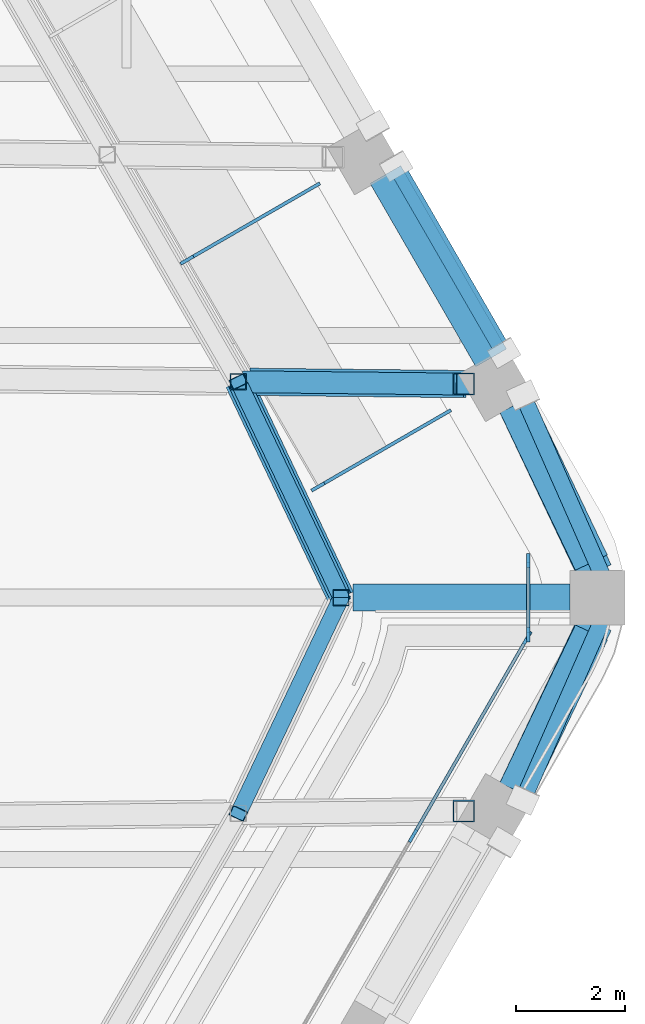
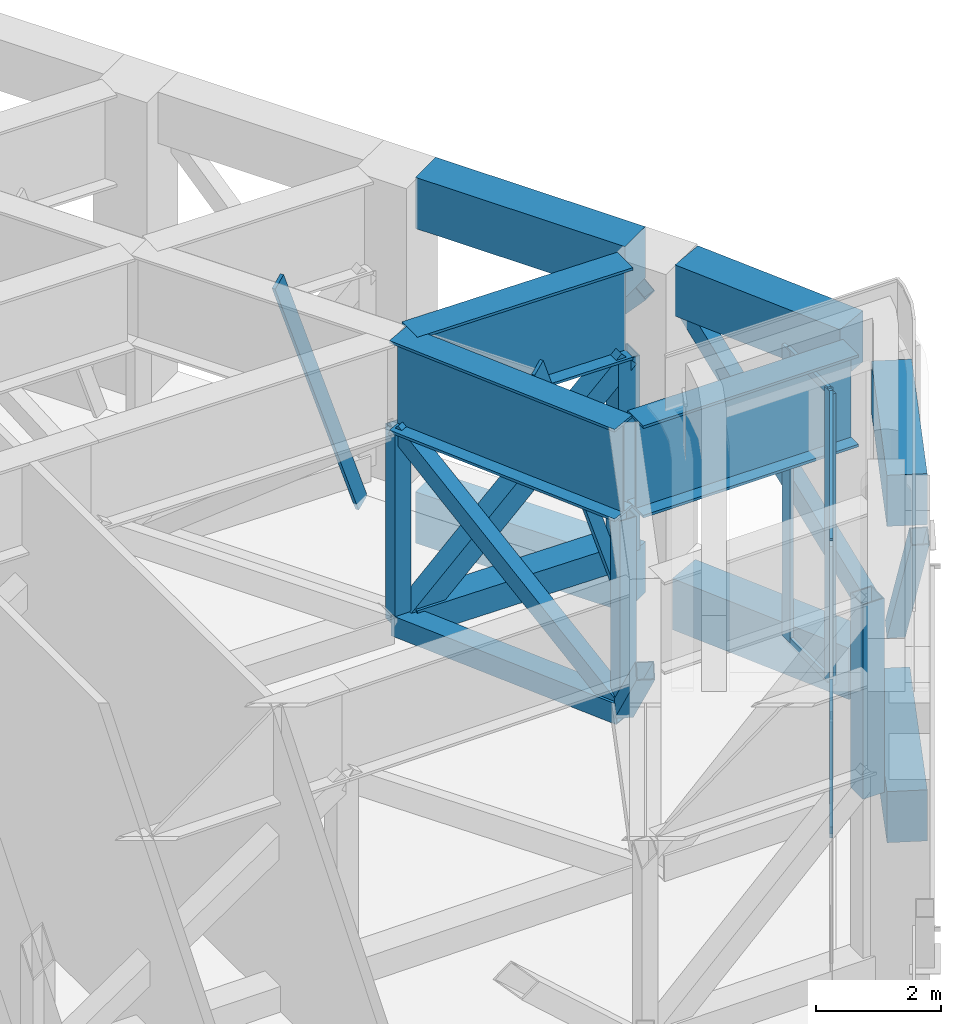
# One storey, part 7 of 24: 22 members, 9 beams, 3 elements without a shape of their own.
"""IFC4 building model written with IfcOpenShell, lengths in metres."""

from ifc_helpers import new_model, si_unit, direction, frame, origin, origin_2d, place, context, subcontext, project, spatial, rectangle, hollow_rectangle, i_section, extrude, material, material_profile, profile_set, type_object, element, aggregate, save


model = new_model("IFC4")

# Units and contexts
model_context = context("Model", 3, precision=1e-05, world=origin(), true_north=direction((0.0, 1.0)))
body_context = subcontext(model_context, "Body", "Model", "MODEL_VIEW")
ifc_project = project(units=[si_unit("LENGTHUNIT", "METRE"), si_unit("AREAUNIT", "SQUARE_METRE"), si_unit("VOLUMEUNIT", "CUBIC_METRE"), si_unit("PLANEANGLEUNIT", "RADIAN"), si_unit("MASSUNIT", "GRAM", prefix="KILO")], contexts=[model_context])

# Site, building, storey
site_placement = place(None, origin())
site = spatial("IfcSite", under=ifc_project, at=site_placement, CompositionType="ELEMENT")
building_placement = place(site_placement, origin())
building = spatial("IfcBuilding", under=site, at=building_placement, Name="Kolab Exchange Tower", CompositionType="ELEMENT")
storey_placement = place(building_placement, frame((0.0, 0.0, 216.800048828125)))
storey = spatial("IfcBuildingStorey", under=building, at=storey_placement, Name="L47", CompositionType="ELEMENT", Elevation=216.800048828125)

# Members
ifc_material_1 = material(Name="Steel S355", Category="steel")
ifc_material_profile_1 = material_profile(ifc_material_1, hollow_rectangle(XDim=0.300048828125, YDim=0.300048828125, WallThickness=0.01611328125, at=origin_2d()), Name="HSS300X300X16")
ifc_profile_set_1 = profile_set([ifc_material_profile_1], Name="Steel S355")
member_type_1 = type_object("IfcMemberType", Name="BELT TRUSS BRACE HSS300X300X16", PredefinedType="BRACE", material=ifc_profile_set_1)
for number, where, z_axis, x_axis, name in (
    (1, (21.253662109375, 3.956787109375, 4.050048828125), (0.324540203016, -0.682207920918, -0.655183950706), (0.903025238378, 0.429587498482, 0.0), "mem/L47/ring/d-F2-05"),
    (2, (23.135986328125, 0.0, 0.25), (-0.324540203016, -0.682207920918, 0.655183950706), (0.903025238378, -0.429587498482, 0.0), "mem/L47/ring/d-F3-01"),
):
    element("IfcMember", number, at=place(storey_placement, frame(where, z_axis=z_axis, x_axis=x_axis)), inside=storey, type_object=member_type_1, Name=name, PredefinedType="BRACE", context=body_context, shape_type="SweptSolid", body=[
        extrude(hollow_rectangle(XDim=0.300048828125, YDim=0.300048828125, WallThickness=0.01611328125, at=origin_2d()), origin(), (0.0, 0.0, 1.0), 5.800048828125),
    ])
member_1_placement = place(storey_placement, frame((24.150390625, 7.900634765625, 0.39990234375), z_axis=(0.337470471595, -0.584582973076, 0.737818696152), x_axis=(0.866050206543, 0.499957037901, 0.0)))
element("IfcMember", 3, at=member_1_placement, inside=storey, type_object=member_type_1, Name="mem/L47/fb/F2-05", PredefinedType="BRACE", context=body_context, shape_type="SweptSolid", body=[
    extrude(hollow_rectangle(XDim=0.300048828125, YDim=0.300048828125, WallThickness=0.01611328125, at=origin_2d()), origin(), (0.0, 0.0, 1.0), 5.828125),
])
for number, where, z_axis, x_axis, name in (
    (4, (26.47412109375, 3.69921875, 4.699951171875), (0.257411493708, -0.584668732952, -0.769351542285), (0.915224267781, 0.402944834519, 0.0), "mem/L47/fb/F2-06"),
    (5, (27.912841796875, -0.431396484375, 0.39990234375), (-0.257411493708, -0.584668732952, 0.769351542285), (0.915224267781, -0.402944834519, 0.0), "mem/L47/fb/F3-01"),
):
    element("IfcMember", number, at=place(storey_placement, frame(where, z_axis=z_axis, x_axis=x_axis)), inside=storey, type_object=member_type_1, Name=name, PredefinedType="BRACE", context=body_context, shape_type="SweptSolid", body=[
        extrude(hollow_rectangle(XDim=0.300048828125, YDim=0.300048828125, WallThickness=0.01611328125, at=origin_2d()), origin(), (0.0, 0.0, 1.0), 5.589111328125),
    ])
ifc_material_profile_2 = material_profile(ifc_material_1, hollow_rectangle(XDim=0.39990234375, YDim=0.39990234375, WallThickness=0.02001953125, at=origin_2d()), Name="HSS400X400X20")
ifc_profile_set_2 = profile_set([ifc_material_profile_2], Name="Steel S355")
member_type_2 = type_object("IfcMemberType", Name="BELT TRUSS CHORD HSS400X400X20", PredefinedType="CHORD", material=ifc_profile_set_2)
member_2_placement = place(storey_placement, frame((21.253662109375, 3.956787109375, 0.25), z_axis=(0.429587498482, -0.903025238378, 0.0), x_axis=(0.903025238378, 0.429587498482, 0.0)))
element("IfcMember", 6, at=member_2_placement, inside=storey, type_object=member_type_2, Name="mem/L47/ring/c-F2-05", PredefinedType="CHORD", context=body_context, shape_type="SweptSolid", body=[
    extrude(hollow_rectangle(XDim=0.39990234375, YDim=0.39990234375, WallThickness=0.02001953125, at=origin_2d()), origin(), (0.0, 0.0, 1.0), 4.381591796875),
])

# Beam
ifc_material_profile_3 = material_profile(ifc_material_1, i_section(OverallWidth=0.5, OverallDepth=1.800048828125, WebThickness=0.031982421875, FlangeThickness=0.050048828125, at=origin_2d()), Name="PG1800X500")
ifc_profile_set_3 = profile_set([ifc_material_profile_3], Name="Steel S355")
beam_type_1 = type_object("IfcBeamType", Name="BELT TRUSS GIRDER PG1800X500", PredefinedType="BEAM", material=ifc_profile_set_3)
beam_1_placement = place(storey_placement, frame((21.253662109375, 3.956787109375, 4.949951171875), z_axis=(0.429587498482, -0.903025238378, 0.0), x_axis=(0.903025238378, 0.429587498482, 0.0)))
element("IfcBeam", 7, at=beam_1_placement, inside=storey, type_object=beam_type_1, Name="beam/L47/bg/F2-out", PredefinedType="BEAM", context=body_context, shape_type="SweptSolid", body=[
    extrude(i_section(OverallWidth=0.5, OverallDepth=1.800048828125, WebThickness=0.031982421875, FlangeThickness=0.050048828125, at=origin_2d()), origin(), (0.0, 0.0, 1.0), 4.381591796875),
])

# Members
ifc_material_profile_4 = material_profile(ifc_material_1, hollow_rectangle(XDim=0.300048828125, YDim=0.300048828125, WallThickness=0.01611328125, at=origin_2d()), Name="HSS300X300X16")
ifc_profile_set_4 = profile_set([ifc_material_profile_4], Name="Steel S355")
member_type_3 = type_object("IfcMemberType", Name="BELT TRUSS POST HSS300X300X16", PredefinedType="POST", material=ifc_profile_set_4)
for number, where, z_axis, x_axis, name in (
    (8, (21.253662109375, 3.956787109375, 0.25), (0.0, 0.0, 1.0), (1.0, 0.0, 0.0), "mem/L47/ring/p-F2-05"),
    (9, (23.135986328125, 0.0, 0.25), (0.0, 0.0, 1.0), (1.0, 0.0, 0.0), "mem/L47/ring/p-F3-01"),
):
    element("IfcMember", number, at=place(storey_placement, frame(where, z_axis=z_axis, x_axis=x_axis)), inside=storey, type_object=member_type_3, Name=name, PredefinedType="POST", context=body_context, shape_type="SweptSolid", body=[
        extrude(hollow_rectangle(XDim=0.300048828125, YDim=0.300048828125, WallThickness=0.01611328125, at=origin_2d()), origin(), (0.0, 0.0, 1.0), 3.800048828125),
    ])

# Curtain wall, members
ifc_material_2 = material(Name="Aluminium EN AW-6063 T6", Category="aluminium")
curtain_wall_type_1 = type_object("IfcCurtainWallType", Name="CANTED BAND CURTAIN WALL", PredefinedType="NOTDEFINED", material=ifc_material_2)
curtain_wall_1_placement = place(storey_placement, origin())
curtain_wall_1 = element("IfcCurtainWall", 10, at=curtain_wall_1_placement, inside=storey, type_object=curtain_wall_type_1, Name="band/L47/F2", PredefinedType="NOTDEFINED")
ifc_material_profile_5 = material_profile(ifc_material_2, rectangle(XDim=0.06005859375, YDim=0.300048828125, at=origin_2d()), Name="RECT 60X300")
ifc_profile_set_5 = profile_set([ifc_material_profile_5], Name="Aluminium EN AW-6063 T6")
member_type_4 = type_object("IfcMemberType", Name="CANTED BAND MULLION 60 X 300", PredefinedType="MULLION", material=ifc_profile_set_5)
member_3_placement = place(storey_placement, frame((22.631591796875, 7.52392578125, -0.10009765625), z_axis=(-0.355798391977, -0.2054599877, 0.911698249269), x_axis=(0.500072450434, -0.865983570466, 0.0)))
member_3 = element("IfcMember", 11, at=member_3_placement, type_object=member_type_4, Name="Band mullion", PredefinedType="MULLION", context=body_context, shape_type="SweptSolid", body=[
    extrude(rectangle(XDim=0.06005859375, YDim=0.300048828125, at=origin_2d()), origin(), (0.0, 0.0, 1.0), 6.51513671875),
])
member_4_placement = place(storey_placement, frame((25.03173828125, 3.366943359375, -0.10009765625), z_axis=(-0.355833859075, -0.205421357987, 0.911693111973), x_axis=(0.499964557259, -0.866045865693, 0.0)))
member_4 = element("IfcMember", 12, at=member_4_placement, type_object=member_type_4, Name="Band mullion", PredefinedType="MULLION", context=body_context, shape_type="SweptSolid", body=[
    extrude(rectangle(XDim=0.06005859375, YDim=0.300048828125, at=origin_2d()), origin(), (0.0, 0.0, 1.0), 6.515380859375),
])
aggregate(curtain_wall_1, [member_3, member_4])

# Members
ifc_material_profile_6 = material_profile(ifc_material_1, hollow_rectangle(XDim=0.39990234375, YDim=0.39990234375, WallThickness=0.02001953125, at=origin_2d()), Name="HSS400X400X20")
ifc_profile_set_6 = profile_set([ifc_material_profile_6], Name="Steel S355")
member_type_5 = type_object("IfcMemberType", Name="OUTRIGGER BRACE HSS400X400X20", PredefinedType="BRACE", material=ifc_profile_set_6)
member_5_placement = place(storey_placement, frame((21.463623046875, 3.95458984375, 0.25), z_axis=(0.718195745705, -0.007599481935, 0.695799625414), x_axis=(0.010580759602, 0.999944022196, 0.0)))
element("IfcMember", 13, at=member_5_placement, inside=storey, type_object=member_type_5, Name="mem/L47/out/03/d02", PredefinedType="BRACE", context=body_context, shape_type="SweptSolid", body=[
    extrude(hollow_rectangle(XDim=0.39990234375, YDim=0.39990234375, WallThickness=0.02001953125, at=origin_2d()), origin(), (0.0, 0.0, 1.0), 5.46142578125),
])
ifc_material_profile_7 = material_profile(ifc_material_1, hollow_rectangle(XDim=0.5, YDim=0.5, WallThickness=0.02490234375, at=origin_2d()), Name="HSS500X500X25")
ifc_profile_set_7 = profile_set([ifc_material_profile_7], Name="Steel S355")
member_type_6 = type_object("IfcMemberType", Name="OUTRIGGER CHORD HSS500X500X25", PredefinedType="CHORD", material=ifc_profile_set_7)
member_6_placement = place(storey_placement, frame((21.463623046875, 3.95458984375, 0.25), z_axis=(0.999944022196, -0.010580759602, 0.0), x_axis=(0.010580759602, 0.999944022196, 0.0)))
element("IfcMember", 14, at=member_6_placement, inside=storey, type_object=member_type_6, Name="mem/L47/out/03/c02", PredefinedType="CHORD", context=body_context, shape_type="SweptSolid", body=[
    extrude(hollow_rectangle(XDim=0.5, YDim=0.5, WallThickness=0.02490234375, at=origin_2d()), origin(), (0.0, 0.0, 1.0), 3.922607421875),
])

# Beam
ifc_material_profile_8 = material_profile(ifc_material_1, i_section(OverallWidth=0.5, OverallDepth=1.800048828125, WebThickness=0.031982421875, FlangeThickness=0.050048828125, at=origin_2d()), Name="PG1800X500")
ifc_profile_set_8 = profile_set([ifc_material_profile_8], Name="Steel S355")
beam_type_2 = type_object("IfcBeamType", Name="OUTRIGGER GIRDER PG1800X500", PredefinedType="BEAM", material=ifc_profile_set_8)
beam_2_placement = place(storey_placement, frame((21.463623046875, 3.95458984375, 4.949951171875), z_axis=(0.999943849545, -0.010597063593, 0.0), x_axis=(0.010597063593, 0.999943849545, 0.0)))
element("IfcBeam", 15, at=beam_2_placement, inside=storey, type_object=beam_type_2, Name="beam/L47/og/03-02", PredefinedType="BEAM", context=body_context, shape_type="SweptSolid", body=[
    extrude(i_section(OverallWidth=0.5, OverallDepth=1.800048828125, WebThickness=0.031982421875, FlangeThickness=0.050048828125, at=origin_2d()), origin(), (0.0, 0.0, 1.0), 3.962646484375),
])

# Members
ifc_material_profile_9 = material_profile(ifc_material_1, hollow_rectangle(XDim=0.39990234375, YDim=0.39990234375, WallThickness=0.02001953125, at=origin_2d()), Name="HSS400X400X20")
ifc_profile_set_9 = profile_set([ifc_material_profile_9], Name="Steel S355")
member_type_7 = type_object("IfcMemberType", Name="OUTRIGGER POST HSS400X400X20", PredefinedType="POST", material=ifc_profile_set_9)
for number, where, z_axis, x_axis, name in (
    (16, (25.385986328125, 3.9130859375, 0.25), (0.0, 0.0, 1.0), (1.0, 0.0, 0.0), "mem/L47/out/03/p03"),
    (17, (25.385986328125, -3.9130859375, 0.25), (0.0, 0.0, 1.0), (1.0, 0.0, 0.0), "mem/L47/out/04/p03"),
):
    element("IfcMember", number, at=place(storey_placement, frame(where, z_axis=z_axis, x_axis=x_axis)), inside=storey, type_object=member_type_7, Name=name, PredefinedType="POST", context=body_context, shape_type="SweptSolid", body=[
        extrude(hollow_rectangle(XDim=0.39990234375, YDim=0.39990234375, WallThickness=0.02001953125, at=origin_2d()), origin(), (0.0, 0.0, 1.0), 3.800048828125),
    ])

# Beams
ifc_material_3 = material(Name="Concrete C60/75", Category="concrete")
ifc_material_profile_10 = material_profile(ifc_material_3, rectangle(XDim=0.64990234375, YDim=1.0, at=origin_2d()), Name="RC650X1000")
ifc_profile_set_10 = profile_set([ifc_material_profile_10], Name="Concrete C60/75")
beam_type_3 = type_object("IfcBeamType", Name="SPANDREL BEAM 650X1000 C60/75", PredefinedType="BEAM", material=ifc_profile_set_10)
beam_3_placement = place(storey_placement, frame((23.948486328125, 7.7529296875, -0.800048828125), z_axis=(0.499996613652, -0.866027358884, 0.0), x_axis=(0.866027358884, 0.499996613652, 0.0)))
element("IfcBeam", 18, at=beam_3_placement, inside=storey, type_object=beam_type_3, Name="beam/L47/sp/F2-05", PredefinedType="BEAM", context=body_context, shape_type="SweptSolid", body=[
    extrude(rectangle(XDim=0.64990234375, YDim=1.0, at=origin_2d()), origin(), (0.0, 0.0, 1.0), 3.8798828125),
])
for number, where, z_axis, x_axis, name in (
    (19, (26.316162109375, 3.5771484375, -0.800048828125), (0.428177731975, -0.903694544545, 0.0), (0.903694544545, 0.428177731975, 0.0), "beam/L47/sp/F2-06"),
    (20, (27.791259765625, -0.4638671875, -0.800048828125), (-0.428177731975, -0.903694544545, 0.0), (0.903694544545, -0.428177731975, 0.0), "beam/L47/sp/F3-01"),
):
    element("IfcBeam", number, at=place(storey_placement, frame(where, z_axis=z_axis, x_axis=x_axis)), inside=storey, type_object=beam_type_3, Name=name, PredefinedType="BEAM", context=body_context, shape_type="SweptSolid", body=[
        extrude(rectangle(XDim=0.64990234375, YDim=1.0, at=origin_2d()), origin(), (0.0, 0.0, 1.0), 3.445068359375),
    ])
beam_4_placement = place(storey_placement, frame((23.948486328125, 7.7529296875, 5.349853515625), z_axis=(0.499996613652, -0.866027358884, 0.0), x_axis=(0.866027358884, 0.499996613652, 0.0)))
element("IfcBeam", 21, at=beam_4_placement, inside=storey, type_object=beam_type_3, Name="beam/L47/cp/F2-05", PredefinedType="BEAM", context=body_context, shape_type="SweptSolid", body=[
    extrude(rectangle(XDim=0.64990234375, YDim=1.0, at=origin_2d()), origin(), (0.0, 0.0, 1.0), 3.8798828125),
])
for number, where, z_axis, x_axis, name in (
    (22, (26.33935546875, 3.533935546875, 5.349853515625), (0.431584797896, -0.902072370836, 0.0), (0.902072370836, 0.431584797896, 0.0), "beam/L47/cp/F2-06"),
    (23, (27.723388671875, -0.64111328125, 5.349853515625), (-0.431584797896, -0.902072370836, 0.0), (0.902072370836, -0.431584797896, 0.0), "beam/L47/cp/F3-01"),
):
    element("IfcBeam", number, at=place(storey_placement, frame(where, z_axis=z_axis, x_axis=x_axis)), inside=storey, type_object=beam_type_3, Name=name, PredefinedType="BEAM", context=body_context, shape_type="SweptSolid", body=[
        extrude(rectangle(XDim=0.64990234375, YDim=1.0, at=origin_2d()), origin(), (0.0, 0.0, 1.0), 3.206787109375),
    ])
ifc_material_profile_11 = material_profile(ifc_material_1, i_section(OverallWidth=0.5, OverallDepth=1.800048828125, WebThickness=0.031982421875, FlangeThickness=0.050048828125, at=origin_2d()), Name="PG1800X500")
ifc_profile_set_11 = profile_set([ifc_material_profile_11], Name="Steel S355")
beam_type_4 = type_object("IfcBeamType", Name="TRANSFER GIRDER PG1800X500", PredefinedType="BEAM", material=ifc_profile_set_11)
beam_5_placement = place(storey_placement, frame((23.35595703125, 0.0, 4.949951171875), z_axis=(1.0, 0.0, 0.0), x_axis=(0.0, 1.0, 0.0)))
element("IfcBeam", 24, at=beam_5_placement, inside=storey, type_object=beam_type_4, Name="beam/L47/tg/F3-01", PredefinedType="BEAM", context=body_context, shape_type="SweptSolid", body=[
    extrude(i_section(OverallWidth=0.5, OverallDepth=1.800048828125, WebThickness=0.031982421875, FlangeThickness=0.050048828125, at=origin_2d()), origin(), (0.0, 0.0, 1.0), 3.97998046875),
])

# Curtain wall, members
curtain_wall_type_2 = type_object("IfcCurtainWallType", Name="UNITISED UPPER MID ZONE DOUBLE HEIGHT BELT CURTAIN WALL", PredefinedType="NOTDEFINED", material=ifc_material_2)
curtain_wall_2_placement = place(storey_placement, origin())
curtain_wall_2 = element("IfcCurtainWall", 25, at=curtain_wall_2_placement, inside=storey, type_object=curtain_wall_type_2, Name="cw/L47/F3-1", PredefinedType="NOTDEFINED")
ifc_material_profile_12 = material_profile(ifc_material_2, rectangle(XDim=0.06005859375, YDim=0.260009765625, at=origin_2d()), Name="RECT 60X260")
ifc_profile_set_12 = profile_set([ifc_material_profile_12], Name="Aluminium EN AW-6063 T6")
member_type_8 = type_object("IfcMemberType", Name="UNITISED UPPER MID ZONE DOUBLE HEIGHT BELT MULLION 60 X 260", PredefinedType="MULLION", material=ifc_profile_set_12)
member_7_placement = place(storey_placement, frame((26.550537109375, -0.736083984375, 0.0), z_axis=(0.0, 0.0, 1.0), x_axis=(0.866025427826, -0.499999958358, 0.0)))
member_7 = element("IfcMember", 26, at=member_7_placement, type_object=member_type_8, Name="CW11 mullion 1", PredefinedType="MULLION", context=body_context, shape_type="SweptSolid", body=[
    extrude(rectangle(XDim=0.06005859375, YDim=0.260009765625, at=origin_2d()), origin(), (0.0, 0.0, 1.0), 5.699951171875),
])
member_8_placement = place(storey_placement, frame((24.454345703125, -4.366943359375, 0.0), z_axis=(0.0, 0.0, 1.0), x_axis=(0.866025427826, -0.499999958358, 0.0)))
member_8 = element("IfcMember", 27, at=member_8_placement, type_object=member_type_8, Name="CW11 mullion 2", PredefinedType="MULLION", context=body_context, shape_type="SweptSolid", body=[
    extrude(rectangle(XDim=0.06005859375, YDim=0.260009765625, at=origin_2d()), origin(), (0.0, 0.0, 1.0), 5.699951171875),
])

curtain_wall_3_placement = place(storey_placement, origin())
curtain_wall_3 = element("IfcCurtainWall", 28, at=curtain_wall_3_placement, inside=storey, type_object=curtain_wall_type_2, Name="cw/L47/F2F3-corner", PredefinedType="NOTDEFINED")
member_9_placement = place(storey_placement, frame((26.565673828125, 0.679931640625, 0.0), z_axis=(0.0, 0.0, 1.0), x_axis=(1.0, 0.0, 0.0)))
member_9 = element("IfcMember", 29, at=member_9_placement, type_object=member_type_8, Name="CW11 mullion 1", PredefinedType="MULLION", context=body_context, shape_type="SweptSolid", body=[
    extrude(rectangle(XDim=0.06005859375, YDim=0.260009765625, at=origin_2d()), origin(), (0.0, 0.0, 1.0), 5.699951171875),
])
member_10_placement = place(storey_placement, frame((26.565673828125, -0.679931640625, 0.0), z_axis=(0.0, 0.0, 1.0), x_axis=(1.0, 0.0, 0.0)))
member_10 = element("IfcMember", 30, at=member_10_placement, type_object=member_type_8, Name="CW11 mullion 2", PredefinedType="MULLION", context=body_context, shape_type="SweptSolid", body=[
    extrude(rectangle(XDim=0.06005859375, YDim=0.260009765625, at=origin_2d()), origin(), (0.0, 0.0, 1.0), 5.699951171875),
])

# Member
ifc_material_profile_13 = material_profile(ifc_material_2, rectangle(XDim=0.06005859375, YDim=0.139892578125, at=origin_2d()), Name="RECT 60X140")
ifc_profile_set_13 = profile_set([ifc_material_profile_13], Name="Aluminium EN AW-6063 T6")
member_type_9 = type_object("IfcMemberType", Name="UNITISED UPPER MID ZONE DOUBLE HEIGHT BELT TRANSOM 60 X 140", PredefinedType="USERDEFINED", material=ifc_profile_set_13)
member_11_placement = place(storey_placement, frame((26.53564453125, -0.761962890625, 0.030029296875), z_axis=(-0.500027577057, -0.866009481578, 0.0), x_axis=(0.866009481578, -0.500027577057, 0.0)))
member_11 = element("IfcMember", 31, at=member_11_placement, type_object=member_type_9, Name="CW11 transom 1.1", ObjectType="TRANSOM", PredefinedType="USERDEFINED", context=body_context, shape_type="SweptSolid", body=[
    extrude(rectangle(XDim=0.06005859375, YDim=0.139892578125, at=origin_2d()), origin(), (0.0, 0.0, 1.0), 4.132568359375),
])

member_12_placement = place(storey_placement, frame((26.53564453125, -0.761962890625, 5.669921875), z_axis=(-0.500027577057, -0.866009481578, 0.0), x_axis=(0.866009481578, -0.500027577057, 0.0)))
member_12 = element("IfcMember", 32, at=member_12_placement, type_object=member_type_9, Name="CW11 transom 1.2", ObjectType="TRANSOM", PredefinedType="USERDEFINED", context=body_context, shape_type="SweptSolid", body=[
    extrude(rectangle(XDim=0.06005859375, YDim=0.139892578125, at=origin_2d()), origin(), (0.0, 0.0, 1.0), 4.132568359375),
])

aggregate(curtain_wall_2, [member_7, member_8, member_11, member_12])

member_13_placement = place(storey_placement, frame((26.565673828125, 0.64990234375, 0.030029296875), z_axis=(0.0, -1.0, 0.0), x_axis=(1.0, 0.0, 0.0)))
member_13 = element("IfcMember", 33, at=member_13_placement, type_object=member_type_9, Name="CW11 transom 1.1", ObjectType="TRANSOM", PredefinedType="USERDEFINED", context=body_context, shape_type="SweptSolid", body=[
    extrude(rectangle(XDim=0.06005859375, YDim=0.139892578125, at=origin_2d()), origin(), (0.0, 0.0, 1.0), 1.2998046875),
])

member_14_placement = place(storey_placement, frame((26.565673828125, 0.64990234375, 5.669921875), z_axis=(0.0, -1.0, 0.0), x_axis=(1.0, 0.0, 0.0)))
member_14 = element("IfcMember", 34, at=member_14_placement, type_object=member_type_9, Name="CW11 transom 1.2", ObjectType="TRANSOM", PredefinedType="USERDEFINED", context=body_context, shape_type="SweptSolid", body=[
    extrude(rectangle(XDim=0.06005859375, YDim=0.139892578125, at=origin_2d()), origin(), (0.0, 0.0, 1.0), 1.2998046875),
])

aggregate(curtain_wall_3, [member_9, member_10, member_13, member_14])

save(model, "model.ifc")
